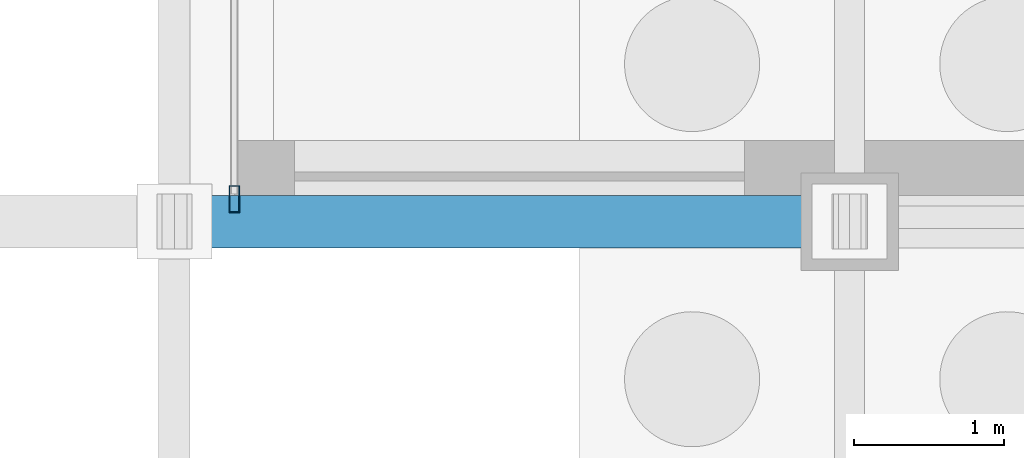
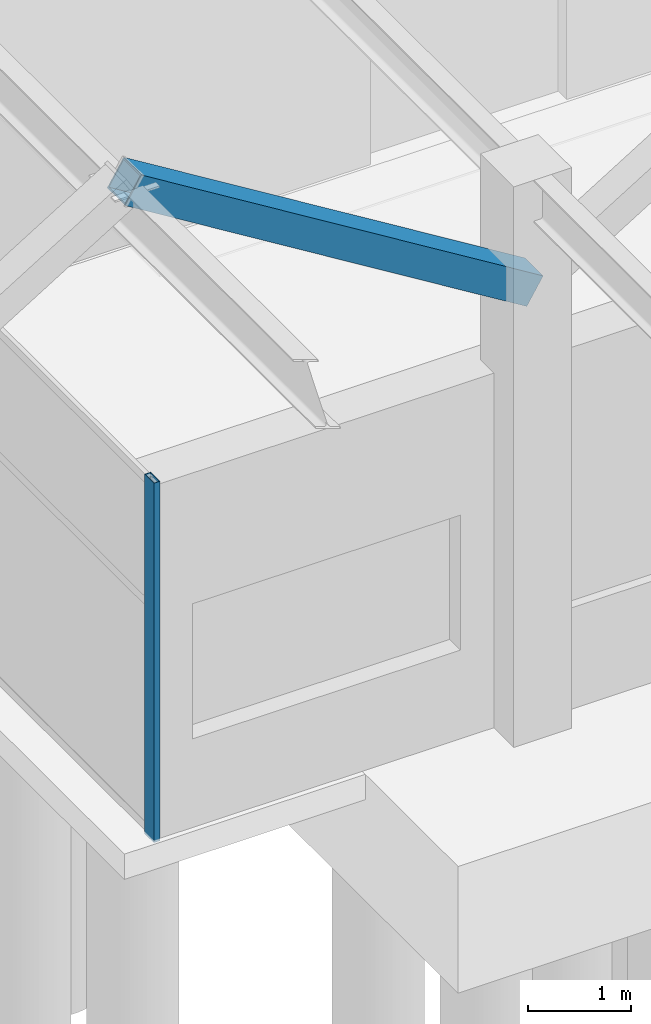
# One storey, part 46 of 160: 2 members, 1 element without a shape of its own.
"""IFC4 building model written with IfcOpenShell, lengths in metres."""

from ifc_helpers import new_model, si_unit, direction, frame, origin, origin_2d, place, context, subcontext, project, spatial, hollow_rectangle, extrude, material, layer, layer_set, material_profile, profile_set, type_object, element, aggregate, save


model = new_model("IFC4")

# Units and contexts
model_context = context("Model", 3, precision=1e-05, world=origin(), true_north=direction((0.0, 1.0)))
body_context = subcontext(model_context, "Body", "Model", "MODEL_VIEW")
ifc_project = project(units=[si_unit("LENGTHUNIT", "METRE"), si_unit("AREAUNIT", "SQUARE_METRE"), si_unit("VOLUMEUNIT", "CUBIC_METRE"), si_unit("PLANEANGLEUNIT", "RADIAN"), si_unit("MASSUNIT", "GRAM", prefix="KILO")], contexts=[model_context])

# Site, building, storey
site_placement = place(None, origin())
site = spatial("IfcSite", under=ifc_project, at=site_placement, CompositionType="ELEMENT")
building_placement = place(site_placement, origin())
building = spatial("IfcBuilding", under=site, at=building_placement, Name="Marlcrest Central Station", CompositionType="ELEMENT")
storey_placement = place(building_placement, origin())
storey = spatial("IfcBuildingStorey", under=building, at=storey_placement, Name="L00", CompositionType="ELEMENT", Elevation=0.0)

# Curtain wall, member
ifc_material_1 = material(Name="Anodised aluminium and hurricane laminated glass", Category="aluminium")
ifc_layer = layer(ifc_material_1, 0.179931640625, Name="CW-S1")
ifc_layer_set = layer_set([ifc_layer], Name="Anodised aluminium and hurricane laminated glass")
curtain_wall_type = type_object("IfcCurtainWallType", Name="CW-S1", PredefinedType="USERDEFINED", material=ifc_layer_set)
curtain_wall_placement = place(storey_placement, origin())
curtain_wall = element("IfcCurtainWall", 1, at=curtain_wall_placement, inside=storey, type_object=curtain_wall_type, Name="cw-L00-0145", ObjectType="STICK_CURTAIN_WALL", PredefinedType="USERDEFINED")
ifc_material_2 = material(Name="Anodised aluminium 6063-T6", Category="aluminium")
ifc_material_profile_1 = material_profile(ifc_material_2, hollow_rectangle(XDim=0.070068359375, YDim=0.179931640625, WallThickness=0.0048828125, at=origin_2d()), Name="AA-RHS 180x70x5")
ifc_profile_set_1 = profile_set([ifc_material_profile_1], Name="Anodised aluminium 6063-T6")
member_type_1 = type_object("IfcMemberType", Name="ML-02", PredefinedType="MULLION", material=ifc_profile_set_1)
member_1_placement = place(storey_placement, frame((22.89990234375, 22.64990234375, -0.030029296875), z_axis=(0.0, 0.0, 1.0), x_axis=(1.0, 0.0, 0.0)))
member_1 = element("IfcMember", 2, at=member_1_placement, type_object=member_type_1, Name="cw-L00-0145-ml-0", PredefinedType="MULLION", context=body_context, shape_type="SweptSolid", body=[
    extrude(hollow_rectangle(XDim=0.070068359375, YDim=0.179931640625, WallThickness=0.0048828125, at=origin_2d()), origin(), (0.0, 0.0, 1.0), 4.260009765625),
])
aggregate(curtain_wall, [member_1])

# Member
ifc_material_3 = material(Name="Steel S355", Category="steel")
ifc_material_profile_2 = material_profile(ifc_material_3, hollow_rectangle(XDim=0.35009765625, YDim=0.35009765625, WallThickness=0.01611328125, at=origin_2d()), Name="SHS 350x350x16")
ifc_profile_set_2 = profile_set([ifc_material_profile_2], Name="Steel S355")
member_type_2 = type_object("IfcMemberType", Name="ST-02", PredefinedType="STRUT", material=ifc_profile_set_2)
member_2_placement = place(storey_placement, frame((27.0, 22.5, 5.199951171875), z_axis=(-0.851591684043, 0.0, 0.524205688322), x_axis=(0.0, -1.0, 0.0)))
element("IfcMember", 3, at=member_2_placement, inside=storey, type_object=member_type_2, Name="mem-ST-02-L00-00034", PredefinedType="STRUT", context=body_context, shape_type="SweptSolid", body=[
    extrude(hollow_rectangle(XDim=0.35009765625, YDim=0.35009765625, WallThickness=0.01611328125, at=origin_2d()), origin(), (0.0, 0.0, 1.0), 5.2841796875),
])

save(model, "model.ifc")
